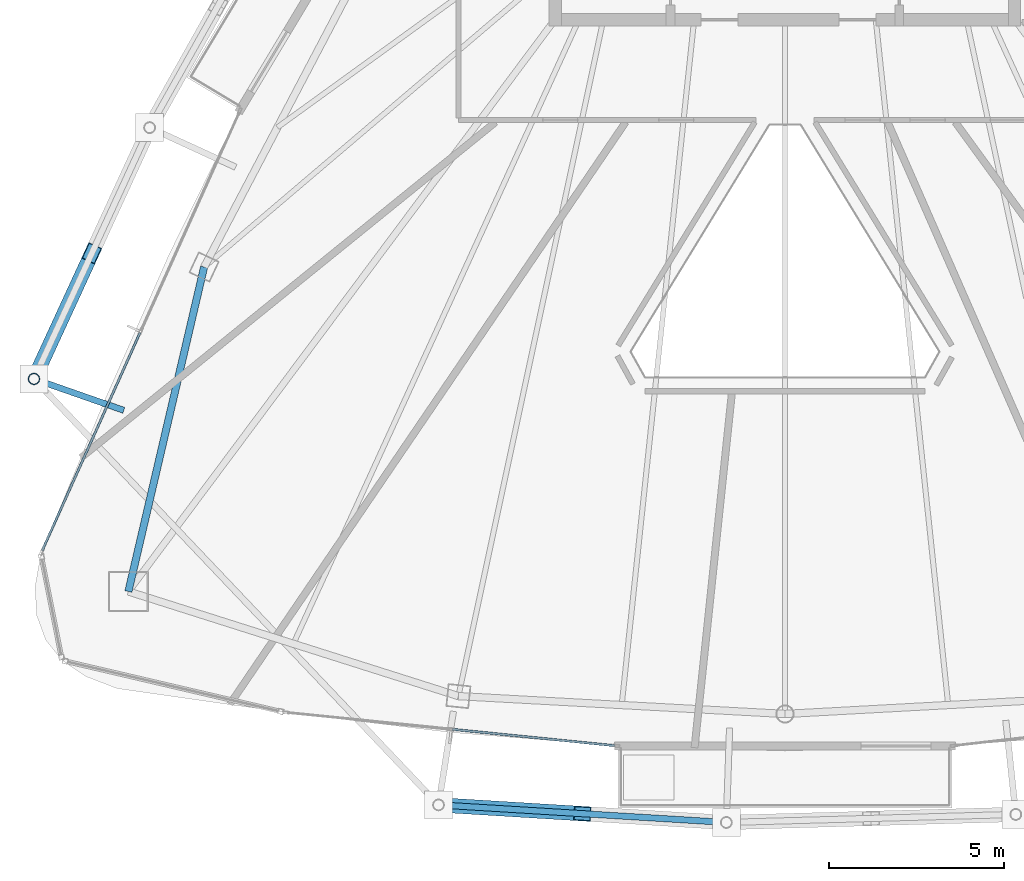
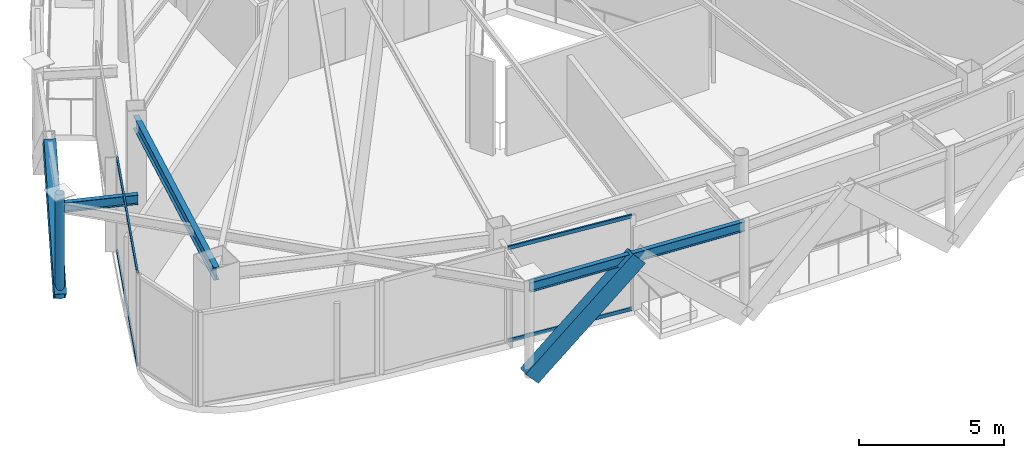
# One storey, part 3 of 22: 7 members, 3 beams, 2 elements without a shape of their own.
"""IFC4 building model written with IfcOpenShell, lengths in metres."""

from ifc_helpers import new_model, si_unit, direction, frame, origin, origin_2d, place, context, subcontext, project, spatial, hollow_rectangle, hollow_circle, i_section, extrude, material, layer, layer_set, material_profile, profile_set, type_object, element, aggregate, save


model = new_model("IFC4")

# Units and contexts
model_context = context("Model", 3, precision=1e-05, world=origin(), true_north=direction((0.0, 1.0)))
body_context = subcontext(model_context, "Body", "Model", "MODEL_VIEW")
ifc_project = project(units=[si_unit("LENGTHUNIT", "METRE"), si_unit("AREAUNIT", "SQUARE_METRE"), si_unit("VOLUMEUNIT", "CUBIC_METRE"), si_unit("PLANEANGLEUNIT", "RADIAN"), si_unit("MASSUNIT", "GRAM", prefix="KILO")], contexts=[model_context])

# Site, building, storey
site_placement = place(None, origin())
site = spatial("IfcSite", under=ifc_project, at=site_placement, CompositionType="ELEMENT")
building_placement = place(site_placement, origin())
building = spatial("IfcBuilding", under=site, at=building_placement, Name="Orvanel Arch Residences", CompositionType="ELEMENT")
storey_placement = place(building_placement, frame((0.0, 0.0, 276.64990234375)))
storey = spatial("IfcBuildingStorey", under=building, at=storey_placement, Name="L79", CompositionType="ELEMENT", Elevation=276.64990234375)

# Members
ifc_material_1 = material(Name="Structural steel AS/NZS 3678 Grade 350", Category="steel")
ifc_material_profile_1 = material_profile(ifc_material_1, hollow_rectangle(XDim=0.419921875, YDim=0.719970703125, WallThickness=0.02490234375, at=origin_2d()), Name="RHS720x420x25")
ifc_profile_set_1 = profile_set([ifc_material_profile_1], Name="Structural steel AS/NZS 3678 Grade 350")
member_type_1 = type_object("IfcMemberType", Name="BR-720RHS-EXT", PredefinedType="BRACE", material=ifc_profile_set_1)
member_1_placement = place(storey_placement, frame((11.4951171875, 16.43701171875, 0.0), z_axis=(0.303684422209, 0.65989344295, 0.687252803311), x_axis=(-0.908420698289, 0.418057214888, 0.0)))
element("IfcMember", 1, at=member_1_placement, inside=storey, type_object=member_type_1, Name="L79 Exterior Sky-Garden V-Frame Chevron F1B3.2", PredefinedType="BRACE", context=body_context, shape_type="SweptSolid", body=[
    extrude(hollow_rectangle(XDim=0.419921875, YDim=0.719970703125, WallThickness=0.02490234375, at=origin_2d()), origin(), (0.0, 0.0, 1.0), 5.4521484375),
])
member_2_placement = place(storey_placement, frame((23.0791015625, 4.239990234375, 0.0), z_axis=(0.739114702983, -0.045015102474, 0.672073728384), x_axis=(0.060791439293, 0.998150490111, 0.0)))
element("IfcMember", 2, at=member_2_placement, inside=storey, type_object=member_type_1, Name="L79 Exterior Sky-Garden V-Frame Chevron F2B1.1", PredefinedType="BRACE", context=body_context, shape_type="SweptSolid", body=[
    extrude(hollow_rectangle(XDim=0.419921875, YDim=0.719970703125, WallThickness=0.02490234375, at=origin_2d()), origin(), (0.0, 0.0, 1.0), 5.575439453125),
])

# Beams
ifc_material_2 = material(Name="Structural steel AS/NZS 3679.1 Grade 300 (300 MPa)", Category="steel")
ifc_material_profile_2 = material_profile(ifc_material_2, i_section(OverallWidth=0.177978515625, OverallDepth=0.406005859375, WebThickness=0.0078125, FlangeThickness=0.0126953125, at=origin_2d()), Name="410UB59.7")
ifc_profile_set_2 = profile_set([ifc_material_profile_2], Name="Structural steel AS/NZS 3679.1 Grade 300 (300 MPa)")
beam_type_1 = type_object("IfcBeamType", Name="OB-410UB-EXT", PredefinedType="SPANDREL", material=ifc_profile_set_2)
beam_1_placement = place(storey_placement, frame((14.068115234375, 15.5380859375, 3.7470703125), z_axis=(-0.944043943208, 0.329819698158, 0.0), x_axis=(-0.329819698158, -0.944043943208, 0.0)))
element("IfcBeam", 3, at=beam_1_placement, inside=storey, type_object=beam_type_1, Name="L79 Outer Frame Radial Tie Beam 04", PredefinedType="SPANDREL", context=body_context, shape_type="SweptSolid", body=[
    extrude(i_section(OverallWidth=0.177978515625, OverallDepth=0.406005859375, WebThickness=0.0078125, FlangeThickness=0.0126953125, at=origin_2d()), origin(), (0.0, 0.0, 1.0), 2.7255859375),
])
beam_2_placement = place(storey_placement, frame((23.0791015625, 4.239990234375, 3.7470703125), z_axis=(0.998143854972, -0.060900285556, 0.0), x_axis=(0.060900285556, 0.998143854972, 0.0)))
element("IfcBeam", 4, at=beam_2_placement, inside=storey, type_object=beam_type_1, Name="L79 Outer Perimeter Floor Ring Beam 05", PredefinedType="SPANDREL", context=body_context, shape_type="SweptSolid", body=[
    extrude(i_section(OverallWidth=0.177978515625, OverallDepth=0.406005859375, WebThickness=0.0078125, FlangeThickness=0.0126953125, at=origin_2d()), origin(), (0.0, 0.0, 1.0), 8.25830078125),
])
ifc_material_profile_3 = material_profile(ifc_material_2, i_section(OverallWidth=0.208984375, OverallDepth=0.532958984375, WebThickness=0.01025390625, FlangeThickness=0.015625, at=origin_2d()), Name="530UB92.4")
ifc_profile_set_3 = profile_set([ifc_material_profile_3], Name="Structural steel AS/NZS 3679.1 Grade 300 (300 MPa)")
beam_type_2 = type_object("IfcBeamType", Name="SP-530UB", PredefinedType="SPANDREL", material=ifc_profile_set_3)
beam_3_placement = place(storey_placement, frame((16.366943359375, 19.64208984375, 3.68408203125), z_axis=(-0.227236087167, -0.973839699688, 0.0), x_axis=(0.973839699688, -0.227236087167, 0.0)))
element("IfcBeam", 5, at=beam_3_placement, inside=storey, type_object=beam_type_2, Name="L79 Perimeter Spandrel Beam 01", PredefinedType="SPANDREL", context=body_context, shape_type="SweptSolid", body=[
    extrude(i_section(OverallWidth=0.208984375, OverallDepth=0.532958984375, WebThickness=0.01025390625, FlangeThickness=0.015625, at=origin_2d()), origin(), (0.0, 0.0, 1.0), 9.54052734375),
])

# Member
ifc_material_3 = material(Name="Structural steel AS/NZS 1163 C350L0 (Grade 350)", Category="steel")
ifc_material_profile_4 = material_profile(ifc_material_3, hollow_circle(Radius=0.162109375, WallThickness=0.0126953125, at=origin_2d()), Name="CHS324x12.7")
ifc_profile_set_4 = profile_set([ifc_material_profile_4], Name="Structural steel AS/NZS 1163 C350L0 (Grade 350)")
member_type_2 = type_object("IfcMemberType", Name="ST-324CHS-EXT", PredefinedType="STRUT", material=ifc_profile_set_4)
member_3_placement = place(storey_placement, frame((11.4951171875, 16.43701171875, 0.0), z_axis=(0.0, 0.0, 1.0), x_axis=(1.0, 0.0, 0.0)))
element("IfcMember", 6, at=member_3_placement, inside=storey, type_object=member_type_2, Name="L79 Outer Perimeter Frame Post 04", PredefinedType="STRUT", context=body_context, shape_type="SweptSolid", body=[
    extrude(hollow_circle(Radius=0.162109375, WallThickness=0.0126953125, at=origin_2d()), origin(), (0.0, 0.0, 1.0), 4.35009765625),
])

# Curtain wall, members
ifc_material_4 = material(Name="Bronze-anodised aluminium AA6063-T6", Category="aluminium")
ifc_layer = layer(ifc_material_4, 0.195068359375)
ifc_layer_set = layer_set([ifc_layer], Name="Bronze-anodised aluminium AA6063-T6")
curtain_wall_type = type_object("IfcCurtainWallType", Name="CW6-COM-SYS", PredefinedType="NOTDEFINED", material=ifc_layer_set)
curtain_wall_1_placement = place(storey_placement, origin())
curtain_wall_1 = element("IfcCurtainWall", 7, at=curtain_wall_1_placement, inside=storey, type_object=curtain_wall_type, Name="L79 CW6-COM-SYS Unitised Curtain Wall", PredefinedType="NOTDEFINED")
ifc_material_profile_5 = material_profile(ifc_material_4, hollow_rectangle(XDim=0.06494140625, YDim=0.14990234375, WallThickness=0.00390625, at=origin_2d()), Name="ALU150x65x4")
ifc_profile_set_5 = profile_set([ifc_material_profile_5], Name="Bronze-anodised aluminium AA6063-T6")
member_type_3 = type_object("IfcMemberType", Name="TRN-150x65", PredefinedType="USERDEFINED", material=ifc_profile_set_5)
member_4_placement = place(storey_placement, frame((14.53125, 17.75927734375, 0.03271484375), z_axis=(-0.409643152156, -0.912245848383, 0.0), x_axis=(0.912245848383, -0.409643152156, 0.0)))
member_4 = element("IfcMember", 8, at=member_4_placement, type_object=member_type_3, Name="CW-S6 transom 2.1", ObjectType="TRANSOM", PredefinedType="USERDEFINED", context=body_context, shape_type="SweptSolid", body=[
    extrude(hollow_rectangle(XDim=0.06494140625, YDim=0.14990234375, WallThickness=0.00390625, at=origin_2d()), origin(), (0.0, 0.0, 1.0), 6.8388671875),
])
member_5_placement = place(storey_placement, frame((14.53125, 17.75927734375, 3.91748046875), z_axis=(-0.409643152156, -0.912245848383, 0.0), x_axis=(0.912245848383, -0.409643152156, 0.0)))
member_5 = element("IfcMember", 9, at=member_5_placement, type_object=member_type_3, Name="CW-S6 transom 2.2", ObjectType="TRANSOM", PredefinedType="USERDEFINED", context=body_context, shape_type="SweptSolid", body=[
    extrude(hollow_rectangle(XDim=0.06494140625, YDim=0.14990234375, WallThickness=0.00390625, at=origin_2d()), origin(), (0.0, 0.0, 1.0), 6.8388671875),
])
aggregate(curtain_wall_1, [member_4, member_5])

curtain_wall_2_placement = place(storey_placement, origin())
curtain_wall_2 = element("IfcCurtainWall", 10, at=curtain_wall_2_placement, inside=storey, type_object=curtain_wall_type, Name="L79 CW6-COM-SYS Unitised Curtain Wall", PredefinedType="NOTDEFINED")
member_6_placement = place(storey_placement, frame((23.476806640625, 6.404296875, 0.03271484375), z_axis=(0.994954590082, -0.100326286065, 0.0), x_axis=(0.100326286065, 0.994954590082, 0.0)))
member_6 = element("IfcMember", 11, at=member_6_placement, type_object=member_type_3, Name="CW-S6 transom 2.1", ObjectType="TRANSOM", PredefinedType="USERDEFINED", context=body_context, shape_type="SweptSolid", body=[
    extrude(hollow_rectangle(XDim=0.06494140625, YDim=0.14990234375, WallThickness=0.00390625, at=origin_2d()), origin(), (0.0, 0.0, 1.0), 4.67236328125),
])
member_7_placement = place(storey_placement, frame((23.476806640625, 6.404296875, 3.91748046875), z_axis=(0.994954590082, -0.100326286065, 0.0), x_axis=(0.100326286065, 0.994954590082, 0.0)))
member_7 = element("IfcMember", 12, at=member_7_placement, type_object=member_type_3, Name="CW-S6 transom 2.2", ObjectType="TRANSOM", PredefinedType="USERDEFINED", context=body_context, shape_type="SweptSolid", body=[
    extrude(hollow_rectangle(XDim=0.06494140625, YDim=0.14990234375, WallThickness=0.00390625, at=origin_2d()), origin(), (0.0, 0.0, 1.0), 4.67236328125),
])
aggregate(curtain_wall_2, [member_6, member_7])

save(model, "model.ifc")
